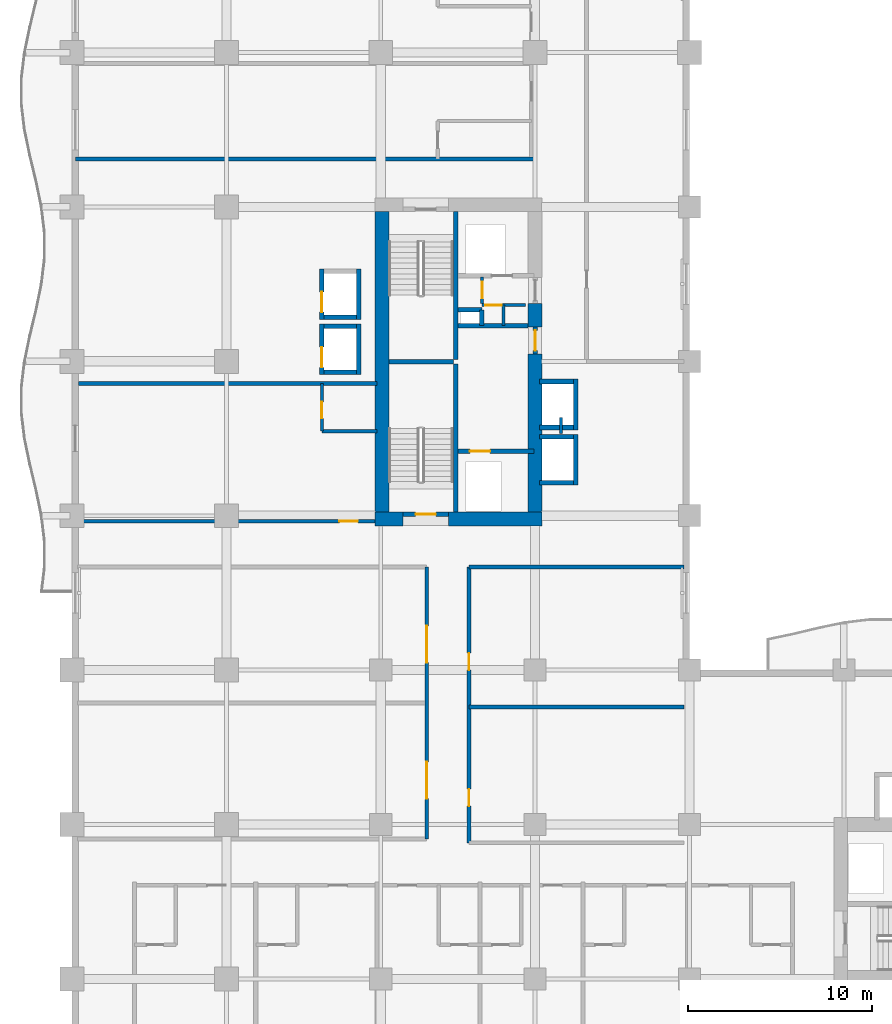
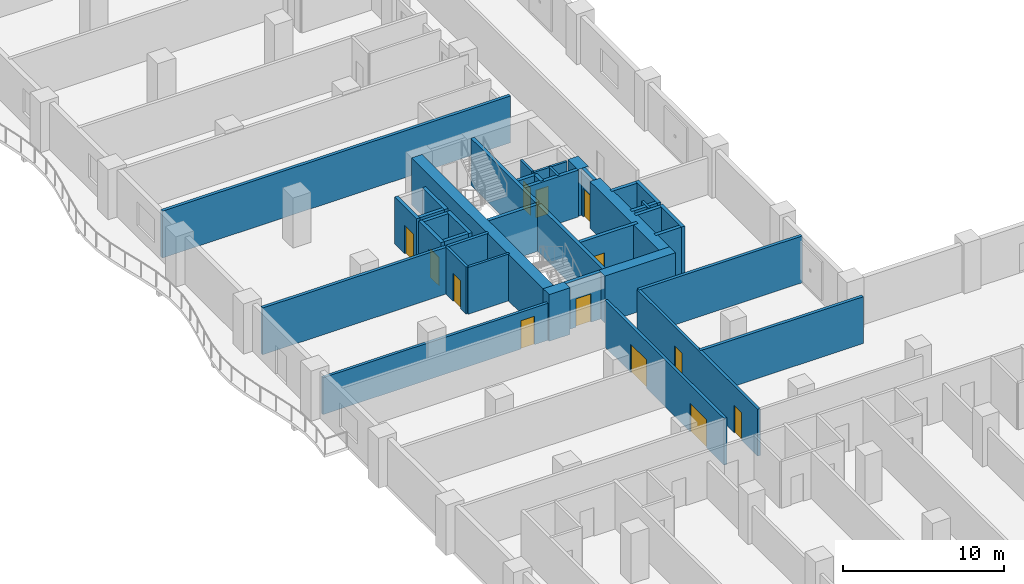
# One storey, part 7 of 17: 40 walls, 13 doors, 13 openings.
"""IFC4 building model written with IfcOpenShell, lengths in metres."""

from ifc_helpers import new_model, si_unit, direction, frame, frame_2d, origin, place, context, subcontext, project, spatial, rectangle, extrude, material, layer, layer_set, type_object, element, fill, save


model = new_model("IFC4")

# Units and contexts
model_context = context("Model", 3, precision=1e-05, world=origin(), true_north=direction((0.0, 1.0)))
body_context = subcontext(model_context, "Body", "Model", "MODEL_VIEW")
ifc_project = project(units=[si_unit("LENGTHUNIT", "METRE"), si_unit("AREAUNIT", "SQUARE_METRE"), si_unit("VOLUMEUNIT", "CUBIC_METRE"), si_unit("PLANEANGLEUNIT", "RADIAN"), si_unit("MASSUNIT", "GRAM", prefix="KILO")], contexts=[model_context])

# Site, building, storey
site_placement = place(None, origin())
site = spatial("IfcSite", under=ifc_project, at=site_placement, CompositionType="ELEMENT")
building_placement = place(site_placement, origin())
building = spatial("IfcBuilding", under=site, at=building_placement, Name="Koriwani Terraces Tower", CompositionType="ELEMENT")
storey_placement = place(building_placement, frame((0.0, 0.0, 122.800048828125)))
storey = spatial("IfcBuildingStorey", under=building, at=storey_placement, Name="L29", CompositionType="ELEMENT", Elevation=122.800048828125)

# Walls
ifc_material_1 = material(Name="Concrete C60/75", Category="concrete")
ifc_layer_1 = layer(ifc_material_1, 0.75, Name="Concrete C60/75")
ifc_layer_set_1 = layer_set([ifc_layer_1], Name="Concrete C60/75")
wall_type_1 = type_object("IfcWallType", Name="WALL_CORE_RC_750", PredefinedType="SHEAR", material=ifc_layer_set_1)
wall_1_placement = place(storey_placement, frame((16.5, 41.824951171875, 0.0), z_axis=(0.0, 0.0, 1.0), x_axis=(1.0, 0.0, 0.0)))
element("IfcWall", 1, at=wall_1_placement, inside=storey, type_object=wall_type_1, Name="L29 West Split Core Shear Wall S1", PredefinedType="SHEAR", context=body_context, shape_type="SweptSolid", body=[
    extrude(rectangle(XDim=1.5, YDim=0.75, at=frame_2d((0.75, 0.0))), origin(), (0.0, 0.0, 1.0), 3.550048828125),
])
wall_2_placement = place(storey_placement, frame((20.5, 41.824951171875, 0.0), z_axis=(0.0, 0.0, 1.0), x_axis=(1.0, 0.0, 0.0)))
element("IfcWall", 2, at=wall_2_placement, inside=storey, type_object=wall_type_1, Name="L29 West Split Core Shear Wall S2", PredefinedType="SHEAR", context=body_context, shape_type="SweptSolid", body=[
    extrude(rectangle(XDim=5.074951171875, YDim=0.75, at=frame_2d((2.53759765625, 0.0))), origin(), (0.0, 0.0, 1.0), 3.550048828125),
])
wall_3_placement = place(storey_placement, frame((16.875, 42.199951171875, 0.0), z_axis=(0.0, 0.0, 1.0), x_axis=(0.0, 1.0, 0.0)))
element("IfcWall", 3, at=wall_3_placement, inside=storey, type_object=wall_type_1, Name="L29 West Split Core Shear Wall W1", PredefinedType="SHEAR", context=body_context, shape_type="SweptSolid", body=[
    extrude(rectangle(XDim=16.35009765625, YDim=0.75, at=frame_2d((8.175048828125, 0.0))), origin(), (0.0, 0.0, 1.0), 3.550048828125),
])
wall_4_placement = place(storey_placement, frame((25.199951171875, 42.199951171875, 0.0), z_axis=(0.0, 0.0, 1.0), x_axis=(0.0, 1.0, 0.0)))
element("IfcWall", 4, at=wall_4_placement, inside=storey, type_object=wall_type_1, Name="L29 West Split Core Shear Wall E1", PredefinedType="SHEAR", context=body_context, shape_type="SweptSolid", body=[
    extrude(rectangle(XDim=8.60009765625, YDim=0.75, at=frame_2d((4.300048828125, 0.0))), origin(), (0.0, 0.0, 1.0), 3.550048828125),
])
wall_5_placement = place(storey_placement, frame((25.199951171875, 52.280029296875, 0.0), z_axis=(0.0, 0.0, 1.0), x_axis=(0.0, 1.0, 0.0)))
element("IfcWall", 5, at=wall_5_placement, inside=storey, type_object=wall_type_1, Name="L29 West Split Core Shear Wall E2", PredefinedType="SHEAR", context=body_context, shape_type="SweptSolid", body=[
    extrude(rectangle(XDim=1.27001953125, YDim=0.75, at=frame_2d((0.635009765625, 0.0))), origin(), (0.0, 0.0, 1.0), 3.550048828125),
])

# Wall, opening, door
ifc_material_2 = material(Name="Autoclaved Cellular Concrete Blockwork", Category="masonry")
ifc_layer_2 = layer(ifc_material_2, 0.199951171875, Name="Autoclaved Cellular Concrete Blockwork")
ifc_layer_set_2 = layer_set([ifc_layer_2], Name="Autoclaved Cellular Concrete Blockwork")
wall_type_2 = type_object("IfcWallType", Name="WALL_CORRIDOR_200", PredefinedType="PARTITIONING", material=ifc_layer_set_2)
wall_6_placement = place(storey_placement, frame((0.35009765625, 41.699951171875, 0.0), z_axis=(0.0, 0.0, 1.0), x_axis=(1.0, 0.0, 0.0)))
wall_6 = element("IfcWall", 6, at=wall_6_placement, inside=storey, type_object=wall_type_2, Name="L29 Interior Wall WREC-WS-L29", PredefinedType="PARTITIONING", context=body_context, shape_type="SweptSolid", body=[
    extrude(rectangle(XDim=16.25, YDim=0.199951171875, at=frame_2d((8.125, 0.0))), origin(), (0.0, 0.0, 1.0), 2.800048828125),
])
opening_1_placement = place(wall_6_placement, frame((14.199951171875, 0.0, 0.0)))
opening_1 = element("IfcOpeningElement", 7, at=opening_1_placement, cuts=wall_6, Name="Opening D-05", PredefinedType="OPENING", context=body_context, shape_type="SweptSolid", body=[
    extrude(rectangle(XDim=1.0, YDim=2.14990234375, at=frame_2d((0.5, 1.074951171875))), frame((0.0, 0.10986328125, 0.0), z_axis=(0.0, -1.0, 0.0), x_axis=(1.0, 0.0, 0.0)), (0.0, 0.0, 1.0), 0.219970703125),
])
ifc_material_3 = material(Name="Architectural Oak Fire Door", Category="wood")
door_type_1 = type_object("IfcDoorType", Name="DOOR_SUITE_ENTRY_1000X2150", OperationType="NOTDEFINED", PredefinedType="DOOR", material=ifc_material_3)
door_1_placement = place(opening_1_placement, origin())
door_1 = element("IfcDoor", 8, at=door_1_placement, inside=storey, type_object=door_type_1, Name="L29 Reclaimed West Suite Door", OperationType="SINGLE_SWING_LEFT", OverallHeight=2.14990234375, OverallWidth=1.0, PredefinedType="DOOR", context=body_context, shape_type="SweptSolid", body=[
    extrude(rectangle(XDim=1.0, YDim=2.14990234375, at=frame_2d((0.5, 1.074951171875))), frame((0.0, 0.02490234375, 0.0), z_axis=(0.0, -1.0, 0.0), x_axis=(1.0, 0.0, 0.0)), (0.0, 0.0, 1.0), 0.050048828125),
])
fill(opening_1, door_1)

# Wall, openings, doors
wall_7_placement = place(storey_placement, frame((21.60009765625, 24.199951171875, 0.0), z_axis=(0.0, 0.0, 1.0), x_axis=(0.0, 1.0, 0.0)))
wall_7 = element("IfcWall", 9, at=wall_7_placement, inside=storey, type_object=wall_type_2, Name="L29 Interior Wall WIC2-W-L29", PredefinedType="PARTITIONING", context=body_context, shape_type="SweptSolid", body=[
    extrude(rectangle(XDim=15.0, YDim=0.199951171875, at=frame_2d((7.5, 0.0))), origin(), (0.0, 0.0, 1.0), 3.550048828125),
])
opening_2_placement = place(wall_7_placement, frame((2.0, 0.0, 0.0)))
opening_2 = element("IfcOpeningElement", 10, at=opening_2_placement, cuts=wall_7, Name="Opening D-06", PredefinedType="OPENING", context=body_context, shape_type="SweptSolid", body=[
    extrude(rectangle(XDim=0.919921875, YDim=2.10009765625, at=frame_2d((0.4599609375, 1.050048828125))), frame((0.0, 0.10986328125, 0.0), z_axis=(0.0, -1.0, 0.0), x_axis=(1.0, 0.0, 0.0)), (0.0, 0.0, 1.0), 0.219970703125),
])
opening_3_placement = place(wall_7_placement, frame((9.39990234375, 0.0, 0.0)))
opening_3 = element("IfcOpeningElement", 11, at=opening_3_placement, cuts=wall_7, Name="Opening D-06", PredefinedType="OPENING", context=body_context, shape_type="SweptSolid", body=[
    extrude(rectangle(XDim=0.919921875, YDim=2.10009765625, at=frame_2d((0.4599609375, 1.050048828125))), frame((0.0, 0.10986328125, 0.0), z_axis=(0.0, -1.0, 0.0), x_axis=(1.0, 0.0, 0.0)), (0.0, 0.0, 1.0), 0.219970703125),
])
door_type_2 = type_object("IfcDoorType", Name="DOOR_ROOM_INT_920X2100", OperationType="NOTDEFINED", PredefinedType="DOOR", material=ifc_material_3)
door_2_placement = place(opening_2_placement, origin())
door_2 = element("IfcDoor", 12, at=door_2_placement, inside=storey, type_object=door_type_2, Name="L29 Inner Court Salon Door", OperationType="SINGLE_SWING_LEFT", OverallHeight=2.10009765625, OverallWidth=0.919921875, PredefinedType="DOOR", context=body_context, shape_type="SweptSolid", body=[
    extrude(rectangle(XDim=0.919921875, YDim=2.10009765625, at=frame_2d((0.4599609375, 1.050048828125))), frame((0.0, 0.02490234375, 0.0), z_axis=(0.0, -1.0, 0.0), x_axis=(1.0, 0.0, 0.0)), (0.0, 0.0, 1.0), 0.050048828125),
])
fill(opening_2, door_2)
door_3_placement = place(opening_3_placement, origin())
door_3 = element("IfcDoor", 13, at=door_3_placement, inside=storey, type_object=door_type_2, Name="L29 Inner Court Media Room Door", OperationType="SINGLE_SWING_RIGHT", OverallHeight=2.10009765625, OverallWidth=0.919921875, PredefinedType="DOOR", context=body_context, shape_type="SweptSolid", body=[
    extrude(rectangle(XDim=0.919921875, YDim=2.10009765625, at=frame_2d((0.4599609375, 1.050048828125))), frame((0.0, 0.02490234375, 0.0), z_axis=(0.0, -1.0, 0.0), x_axis=(1.0, 0.0, 0.0)), (0.0, 0.0, 1.0), 0.050048828125),
])
fill(opening_3, door_3)

wall_8_placement = place(storey_placement, frame((19.300048828125, 24.39990234375, 0.0), z_axis=(0.0, 0.0, 1.0), x_axis=(0.0, 1.0, 0.0)))
wall_8 = element("IfcWall", 14, at=wall_8_placement, inside=storey, type_object=wall_type_2, Name="L29 Interior Wall WC2NWCL-L29", PredefinedType="PARTITIONING", context=body_context, shape_type="SweptSolid", body=[
    extrude(rectangle(XDim=14.800048828125, YDim=0.199951171875, at=frame_2d((7.39990234375, 0.0))), origin(), (0.0, 0.0, 1.0), 3.550048828125),
])
opening_4_placement = place(wall_8_placement, frame((2.199951171875, 0.0, 0.0)))
opening_4 = element("IfcOpeningElement", 15, at=opening_4_placement, cuts=wall_8, Name="Opening D-02", PredefinedType="OPENING", context=body_context, shape_type="SweptSolid", body=[
    extrude(rectangle(XDim=2.0, YDim=2.14990234375, at=frame_2d((1.0, 1.074951171875))), frame((0.0, 0.10986328125, 0.0), z_axis=(0.0, -1.0, 0.0), x_axis=(1.0, 0.0, 0.0)), (0.0, 0.0, 1.0), 0.219970703125),
])
opening_5_placement = place(wall_8_placement, frame((9.60009765625, 0.0, 0.0)))
opening_5 = element("IfcOpeningElement", 16, at=opening_5_placement, cuts=wall_8, Name="Opening D-02", PredefinedType="OPENING", context=body_context, shape_type="SweptSolid", body=[
    extrude(rectangle(XDim=2.0, YDim=2.14990234375, at=frame_2d((1.0, 1.074951171875))), frame((0.0, 0.10986328125, 0.0), z_axis=(0.0, -1.0, 0.0), x_axis=(1.0, 0.0, 0.0)), (0.0, 0.0, 1.0), 0.219970703125),
])
ifc_material_4 = material(Name="Anodised Bronze Aluminium", Category="aluminium")
door_type_3 = type_object("IfcDoorType", Name="DOOR_ENTRANCE_DOUBLE_2000X2400", OperationType="NOTDEFINED", PredefinedType="DOOR", material=ifc_material_4)
door_4_placement = place(opening_4_placement, origin())
door_4 = element("IfcDoor", 17, at=door_4_placement, inside=storey, type_object=door_type_3, Name="L29 Panorama Spa Door", OperationType="SINGLE_SWING_LEFT", OverallHeight=2.14990234375, OverallWidth=2.0, PredefinedType="DOOR", context=body_context, shape_type="SweptSolid", body=[
    extrude(rectangle(XDim=2.0, YDim=2.14990234375, at=frame_2d((1.0, 1.074951171875))), frame((0.0, 0.02490234375, 0.0), z_axis=(0.0, -1.0, 0.0), x_axis=(1.0, 0.0, 0.0)), (0.0, 0.0, 1.0), 0.050048828125),
])
fill(opening_4, door_4)
door_5_placement = place(opening_5_placement, origin())
door_5 = element("IfcDoor", 18, at=door_5_placement, inside=storey, type_object=door_type_3, Name="L29 Panorama Library Door", OperationType="SINGLE_SWING_RIGHT", OverallHeight=2.14990234375, OverallWidth=2.0, PredefinedType="DOOR", context=body_context, shape_type="SweptSolid", body=[
    extrude(rectangle(XDim=2.0, YDim=2.14990234375, at=frame_2d((1.0, 1.074951171875))), frame((0.0, 0.02490234375, 0.0), z_axis=(0.0, -1.0, 0.0), x_axis=(1.0, 0.0, 0.0)), (0.0, 0.0, 1.0), 0.050048828125),
])
fill(opening_5, door_5)

# Walls
ifc_layer_3 = layer(ifc_material_2, 0.219970703125, Name="Autoclaved Cellular Concrete Blockwork")
ifc_layer_set_3 = layer_set([ifc_layer_3], Name="Autoclaved Cellular Concrete Blockwork")
wall_type_3 = type_object("IfcWallType", Name="WALL_DEMISING_220", PredefinedType="PARTITIONING", material=ifc_layer_set_3)
wall_9_placement = place(storey_placement, frame((0.35009765625, 49.199951171875, 0.0), z_axis=(0.0, 0.0, 1.0), x_axis=(1.0, 0.0, 0.0)))
element("IfcWall", 19, at=wall_9_placement, inside=storey, type_object=wall_type_3, Name="L29 Interior Wall WREC-WN-L29", PredefinedType="PARTITIONING", context=body_context, shape_type="SweptSolid", body=[
    extrude(rectangle(XDim=16.25, YDim=0.219970703125, at=frame_2d((8.125, 0.0))), origin(), (0.0, 0.0, 1.0), 3.550048828125),
])
for number, where, z_axis, x_axis, name in (
    (20, (21.60009765625, 31.60009765625, 0.0), (0.0, 0.0, 1.0), (1.0, 0.0, 0.0), "L29 Interior Wall WIC2-M-L29"),
    (21, (21.60009765625, 39.199951171875, 0.0), (0.0, 0.0, 1.0), (1.0, 0.0, 0.0), "L29 Interior Wall WIC2-N-L29"),
):
    element("IfcWall", number, at=place(storey_placement, frame(where, z_axis=z_axis, x_axis=x_axis)), inside=storey, type_object=wall_type_3, Name=name, PredefinedType="PARTITIONING", context=body_context, shape_type="SweptSolid", body=[
        extrude(rectangle(XDim=11.699951171875, YDim=0.219970703125, at=frame_2d((5.85009765625, 0.0))), origin(), (0.0, 0.0, 1.0), 3.550048828125),
    ])
wall_10_placement = place(storey_placement, frame((0.199951171875, 61.39990234375, 0.0), z_axis=(0.0, 0.0, 1.0), x_axis=(1.0, 0.0, 0.0)))
element("IfcWall", 22, at=wall_10_placement, inside=storey, type_object=wall_type_3, Name="L29 Interior Wall WDEM-L29-NE-0", PredefinedType="PARTITIONING", context=body_context, shape_type="SweptSolid", body=[
    extrude(rectangle(XDim=24.97998046875, YDim=0.219970703125, at=frame_2d((12.489990234375, 0.0))), origin(), (0.0, 0.0, 1.0), 3.550048828125),
])
ifc_material_5 = material(Name="Fire-Rated Acoustic Gypsum Partition", Category="masonry")
ifc_layer_4 = layer(ifc_material_5, 0.179931640625, Name="Fire-Rated Acoustic Gypsum Partition")
ifc_layer_set_4 = layer_set([ifc_layer_4], Name="Fire-Rated Acoustic Gypsum Partition")
wall_type_4 = type_object("IfcWallType", Name="WALL_PLUMBING_180", PredefinedType="PLUMBINGWALL", material=ifc_layer_set_4)
wall_11_placement = place(storey_placement, frame((13.60009765625, 46.60009765625, 0.0), z_axis=(0.0, 0.0, 1.0), x_axis=(1.0, 0.0, 0.0)))
element("IfcWall", 23, at=wall_11_placement, inside=storey, type_object=wall_type_4, Name="L29 Interior Wall WREC-WB1-L29", PredefinedType="PLUMBINGWALL", context=body_context, shape_type="SweptSolid", body=[
    extrude(rectangle(XDim=3.0, YDim=0.179931640625, at=frame_2d((1.5, 0.0))), origin(), (0.0, 0.0, 1.0), 3.550048828125),
])

# Wall, opening, door
wall_12_placement = place(storey_placement, frame((13.60009765625, 46.60009765625, 0.0), z_axis=(0.0, 0.0, 1.0), x_axis=(0.0, 1.0, 0.0)))
wall_12 = element("IfcWall", 24, at=wall_12_placement, inside=storey, type_object=wall_type_4, Name="L29 Interior Wall WREC-WB2-L29", PredefinedType="PLUMBINGWALL", context=body_context, shape_type="SweptSolid", body=[
    extrude(rectangle(XDim=2.599853515625, YDim=0.179931640625, at=frame_2d((1.2998046875, 0.0))), origin(), (0.0, 0.0, 1.0), 3.550048828125),
])
opening_6_placement = place(wall_12_placement, frame((0.699951171875, 0.0, 0.0)))
opening_6 = element("IfcOpeningElement", 25, at=opening_6_placement, cuts=wall_12, Name="Opening D-07", PredefinedType="OPENING", context=body_context, shape_type="SweptSolid", body=[
    extrude(rectangle(XDim=0.89990234375, YDim=2.10009765625, at=frame_2d((0.449951171875, 1.050048828125))), frame((0.0, 0.10009765625, 0.0), z_axis=(0.0, -1.0, 0.0), x_axis=(1.0, 0.0, 0.0)), (0.0, 0.0, 1.0), 0.199951171875),
])
door_type_4 = type_object("IfcDoorType", Name="DOOR_BATH_INT_900X2100", OperationType="NOTDEFINED", PredefinedType="DOOR", material=ifc_material_3)
door_6_placement = place(opening_6_placement, origin())
door_6 = element("IfcDoor", 26, at=door_6_placement, inside=storey, type_object=door_type_4, Name="L29 Reclaimed Suite En-Suite Door", OperationType="SINGLE_SWING_RIGHT", OverallHeight=2.10009765625, OverallWidth=0.89990234375, PredefinedType="DOOR", context=body_context, shape_type="SweptSolid", body=[
    extrude(rectangle(XDim=0.89990234375, YDim=2.10009765625, at=frame_2d((0.449951171875, 1.050048828125))), frame((0.0, 0.02490234375, 0.0), z_axis=(0.0, -1.0, 0.0), x_axis=(1.0, 0.0, 0.0)), (0.0, 0.0, 1.0), 0.050048828125),
])
fill(opening_6, door_6)

# Walls
ifc_material_6 = material(Name="Concrete C40/50", Category="concrete")
ifc_layer_5 = layer(ifc_material_6, 0.25, Name="Concrete C40/50")
ifc_layer_set_5 = layer_set([ifc_layer_5], Name="Concrete C40/50")
wall_type_5 = type_object("IfcWallType", Name="WALL_SHAFT_RATED_250", PredefinedType="SOLIDWALL", material=ifc_layer_set_5)
for number, where, z_axis, x_axis, name in (
    (27, (20.875, 42.199951171875, 0.0), (0.0, 0.0, 1.0), (0.0, 1.0, 0.0), "L29 West Split Core Web Wall MID1"),
    (28, (20.875, 50.5, 0.0), (0.0, 0.0, 1.0), (0.0, 1.0, 0.0), "L29 West Split Core Web Wall MID2"),
):
    element("IfcWall", number, at=place(storey_placement, frame(where, z_axis=z_axis, x_axis=x_axis)), inside=storey, type_object=wall_type_5, Name=name, PredefinedType="SOLIDWALL", context=body_context, shape_type="SweptSolid", body=[
        extrude(rectangle(XDim=8.050048828125, YDim=0.25, at=frame_2d((4.02490234375, 0.0))), origin(), (0.0, 0.0, 1.0), 3.550048828125),
    ])
wall_13_placement = place(storey_placement, frame((17.25, 50.375, 0.0), z_axis=(0.0, 0.0, 1.0), x_axis=(1.0, 0.0, 0.0)))
element("IfcWall", 29, at=wall_13_placement, inside=storey, type_object=wall_type_5, Name="L29 West Split Core Stair Dividing Wall", PredefinedType="SOLIDWALL", context=body_context, shape_type="SweptSolid", body=[
    extrude(rectangle(XDim=3.5, YDim=0.25, at=frame_2d((1.75, 0.0))), origin(), (0.0, 0.0, 1.0), 3.550048828125),
])

# Wall, opening, door
wall_14_placement = place(storey_placement, frame((18.0, 42.074951171875, 0.0), z_axis=(0.0, 0.0, 1.0), x_axis=(1.0, 0.0, 0.0)))
wall_14 = element("IfcWall", 30, at=wall_14_placement, inside=storey, type_object=wall_type_5, Name="L29 Interior Wall WIN-CW-L29-STS", PredefinedType="SOLIDWALL", context=body_context, shape_type="SweptSolid", body=[
    extrude(rectangle(XDim=2.5, YDim=0.25, at=frame_2d((1.25, 0.0))), origin(), (0.0, 0.0, 1.0), 3.550048828125),
])
opening_7_placement = place(wall_14_placement, frame((0.699951171875, 0.0, 0.0)))
opening_7 = element("IfcOpeningElement", 31, at=opening_7_placement, cuts=wall_14, Name="Opening D-03", PredefinedType="OPENING", context=body_context, shape_type="SweptSolid", body=[
    extrude(rectangle(XDim=1.10009765625, YDim=2.14990234375, at=frame_2d((0.550048828125, 1.074951171875))), frame((0.0, 0.135009765625, 0.0), z_axis=(0.0, -1.0, 0.0), x_axis=(1.0, 0.0, 0.0)), (0.0, 0.0, 1.0), 0.27001953125),
])
ifc_material_7 = material(Name="Steel ASTM A572 Grade 50", Category="steel")
door_type_5 = type_object("IfcDoorType", Name="DOOR_STAIR_FIRE_1100X2150", OperationType="NOTDEFINED", PredefinedType="DOOR", material=ifc_material_7)
door_7_placement = place(opening_7_placement, origin())
door_7 = element("IfcDoor", 32, at=door_7_placement, inside=storey, type_object=door_type_5, Name="L29 Exit Stair ST-W1 Door", OperationType="SINGLE_SWING_LEFT", OverallHeight=2.14990234375, OverallWidth=1.10009765625, PredefinedType="DOOR", context=body_context, shape_type="SweptSolid", body=[
    extrude(rectangle(XDim=1.10009765625, YDim=2.14990234375, at=frame_2d((0.550048828125, 1.074951171875))), frame((0.0, 0.02490234375, 0.0), z_axis=(0.0, -1.0, 0.0), x_axis=(1.0, 0.0, 0.0)), (0.0, 0.0, 1.0), 0.050048828125),
])
fill(opening_7, door_7)

wall_15_placement = place(storey_placement, frame((21.0, 45.5, 0.0), z_axis=(0.0, 0.0, 1.0), x_axis=(1.0, 0.0, 0.0)))
wall_15 = element("IfcWall", 33, at=wall_15_placement, inside=storey, type_object=wall_type_5, Name="L29 Interior Wall WIN-CW-L29-FE", PredefinedType="SOLIDWALL", context=body_context, shape_type="SweptSolid", body=[
    extrude(rectangle(XDim=4.14990234375, YDim=0.25, at=frame_2d((2.074951171875, 0.0))), origin(), (0.0, 0.0, 1.0), 3.550048828125),
])
opening_8_placement = place(wall_15_placement, frame((0.64990234375, 0.0, 0.0)))
opening_8 = element("IfcOpeningElement", 34, at=opening_8_placement, cuts=wall_15, Name="Opening LD-01", PredefinedType="OPENING", context=body_context, shape_type="SweptSolid", body=[
    extrude(rectangle(XDim=1.10009765625, YDim=2.14990234375, at=frame_2d((0.550048828125, 1.074951171875))), frame((0.0, 0.135009765625, 0.0), z_axis=(0.0, -1.0, 0.0), x_axis=(1.0, 0.0, 0.0)), (0.0, 0.0, 1.0), 0.27001953125),
])
door_type_6 = type_object("IfcDoorType", Name="DOOR_LIFT_LANDING_1100X2200", OperationType="NOTDEFINED", PredefinedType="DOOR", material=ifc_material_7)
door_8_placement = place(opening_8_placement, origin())
door_8 = element("IfcDoor", 35, at=door_8_placement, inside=storey, type_object=door_type_6, Name="L29 Firefighting Lift FE-01 Landing Door", OperationType="SLIDING_TO_LEFT", OverallHeight=2.14990234375, OverallWidth=1.10009765625, PredefinedType="DOOR", context=body_context, shape_type="SweptSolid", body=[
    extrude(rectangle(XDim=1.10009765625, YDim=2.14990234375, at=frame_2d((0.550048828125, 1.074951171875))), frame((0.0, 0.02490234375, 0.0), z_axis=(0.0, -1.0, 0.0), x_axis=(1.0, 0.0, 0.0)), (0.0, 0.0, 1.0), 0.050048828125),
])
fill(opening_8, door_8)

wall_16_placement = place(storey_placement, frame((25.199951171875, 50.800048828125, 0.0), z_axis=(0.0, 0.0, 1.0), x_axis=(0.0, 1.0, 0.0)))
wall_16 = element("IfcWall", 36, at=wall_16_placement, inside=storey, type_object=wall_type_5, Name="L29 Interior Wall WIN-CW-L29-EP", PredefinedType="SOLIDWALL", context=body_context, shape_type="SweptSolid", body=[
    extrude(rectangle(XDim=1.47998046875, YDim=0.25, at=frame_2d((0.739990234375, 0.0))), origin(), (0.0, 0.0, 1.0), 3.550048828125),
])
opening_9_placement = place(wall_16_placement, frame((0.179931640625, 0.0, 0.0)))
opening_9 = element("IfcOpeningElement", 37, at=opening_9_placement, cuts=wall_16, Name="Opening D-03", PredefinedType="OPENING", context=body_context, shape_type="SweptSolid", body=[
    extrude(rectangle(XDim=1.10009765625, YDim=2.14990234375, at=frame_2d((0.550048828125, 1.074951171875))), frame((0.0, 0.135009765625, 0.0), z_axis=(0.0, -1.0, 0.0), x_axis=(1.0, 0.0, 0.0)), (0.0, 0.0, 1.0), 0.27001953125),
])
door_9_placement = place(opening_9_placement, origin())
door_9 = element("IfcDoor", 38, at=door_9_placement, inside=storey, type_object=door_type_5, Name="L29 West Firefighting Lobby Door", OperationType="SINGLE_SWING_LEFT", OverallHeight=2.14990234375, OverallWidth=1.10009765625, PredefinedType="DOOR", context=body_context, shape_type="SweptSolid", body=[
    extrude(rectangle(XDim=1.10009765625, YDim=2.14990234375, at=frame_2d((0.550048828125, 1.074951171875))), frame((0.0, 0.02490234375, 0.0), z_axis=(0.0, -1.0, 0.0), x_axis=(1.0, 0.0, 0.0)), (0.0, 0.0, 1.0), 0.050048828125),
])
fill(opening_9, door_9)

# Walls
wall_17_placement = place(storey_placement, frame((21.0, 52.340087890625, 0.0), z_axis=(0.0, 0.0, 1.0), x_axis=(1.0, 0.0, 0.0)))
element("IfcWall", 39, at=wall_17_placement, inside=storey, type_object=wall_type_5, Name="L29 Interior Wall WIN-CW-L29-FFN", PredefinedType="SOLIDWALL", context=body_context, shape_type="SweptSolid", body=[
    extrude(rectangle(XDim=3.824951171875, YDim=0.25, at=frame_2d((1.91259765625, 0.0))), origin(), (0.0, 0.0, 1.0), 3.550048828125),
])
wall_18_placement = place(storey_placement, frame((21.0, 53.199951171875, 0.0), z_axis=(0.0, 0.0, 1.0), x_axis=(1.0, 0.0, 0.0)))
element("IfcWall", 40, at=wall_18_placement, inside=storey, type_object=wall_type_5, Name="L29 Interior Wall WIN-CW-L29-RS1", PredefinedType="SOLIDWALL", context=body_context, shape_type="SweptSolid", body=[
    extrude(rectangle(XDim=1.300048828125, YDim=0.25, at=frame_2d((0.64990234375, 0.0))), origin(), (0.0, 0.0, 1.0), 3.550048828125),
])
wall_19_placement = place(storey_placement, frame((22.300048828125, 52.360107421875, 0.0), z_axis=(0.0, 0.0, 1.0), x_axis=(0.0, 1.0, 0.0)))
element("IfcWall", 41, at=wall_19_placement, inside=storey, type_object=wall_type_5, Name="L29 Interior Wall WIN-CW-L29-RS2", PredefinedType="SOLIDWALL", context=body_context, shape_type="SweptSolid", body=[
    extrude(rectangle(XDim=0.83984375, YDim=0.25, at=frame_2d((0.419921875, 0.0))), origin(), (0.0, 0.0, 1.0), 3.550048828125),
])

# Wall, opening, door
wall_20_placement = place(storey_placement, frame((13.60009765625, 49.675048828125, 0.0), z_axis=(0.0, 0.0, 1.0), x_axis=(0.0, 1.0, 0.0)))
wall_20 = element("IfcWall", 42, at=wall_20_placement, inside=storey, type_object=wall_type_5, Name="L29 Interior Wall WIN-LF-PE-M1-L29-F", PredefinedType="SOLIDWALL", context=body_context, shape_type="SweptSolid", body=[
    extrude(rectangle(XDim=2.75, YDim=0.25, at=frame_2d((1.375, 0.0))), origin(), (0.0, 0.0, 1.0), 3.550048828125),
])
opening_10_placement = place(wall_20_placement, frame((0.39990234375, 0.0, 0.0)))
opening_10 = element("IfcOpeningElement", 43, at=opening_10_placement, cuts=wall_20, Name="Opening LD-01", PredefinedType="OPENING", context=body_context, shape_type="SweptSolid", body=[
    extrude(rectangle(XDim=1.10009765625, YDim=2.14990234375, at=frame_2d((0.550048828125, 1.074951171875))), frame((0.0, 0.135009765625, 0.0), z_axis=(0.0, -1.0, 0.0), x_axis=(1.0, 0.0, 0.0)), (0.0, 0.0, 1.0), 0.27001953125),
])
door_10_placement = place(opening_10_placement, origin())
door_10 = element("IfcDoor", 44, at=door_10_placement, inside=storey, type_object=door_type_6, Name="L29 Passenger Lift PE-M1 Landing Door", OperationType="SLIDING_TO_LEFT", OverallHeight=2.14990234375, OverallWidth=1.10009765625, PredefinedType="DOOR", context=body_context, shape_type="SweptSolid", body=[
    extrude(rectangle(XDim=1.10009765625, YDim=2.14990234375, at=frame_2d((0.550048828125, 1.074951171875))), frame((0.0, 0.02490234375, 0.0), z_axis=(0.0, -1.0, 0.0), x_axis=(1.0, 0.0, 0.0)), (0.0, 0.0, 1.0), 0.050048828125),
])
fill(opening_10, door_10)

# Walls
wall_21_placement = place(storey_placement, frame((15.60009765625, 49.675048828125, 0.0), z_axis=(0.0, 0.0, 1.0), x_axis=(0.0, 1.0, 0.0)))
element("IfcWall", 45, at=wall_21_placement, inside=storey, type_object=wall_type_5, Name="L29 Interior Wall WIN-LF-PE-M1-L29-B", PredefinedType="SOLIDWALL", context=body_context, shape_type="SweptSolid", body=[
    extrude(rectangle(XDim=2.75, YDim=0.25, at=frame_2d((1.375, 0.0))), origin(), (0.0, 0.0, 1.0), 3.550048828125),
])
for number, where, z_axis, x_axis, name in (
    (46, (13.72509765625, 49.800048828125, 0.0), (0.0, 0.0, 1.0), (1.0, 0.0, 0.0), "L29 Interior Wall WIN-LF-PE-M1-L29-S"),
    (47, (13.72509765625, 52.300048828125, 0.0), (0.0, 0.0, 1.0), (1.0, 0.0, 0.0), "L29 Interior Wall WIN-LF-PE-M1-L29-N"),
):
    element("IfcWall", number, at=place(storey_placement, frame(where, z_axis=z_axis, x_axis=x_axis)), inside=storey, type_object=wall_type_5, Name=name, PredefinedType="SOLIDWALL", context=body_context, shape_type="SweptSolid", body=[
        extrude(rectangle(XDim=1.75, YDim=0.25, at=frame_2d((0.875, 0.0))), origin(), (0.0, 0.0, 1.0), 3.550048828125),
    ])

# Wall, opening, door
wall_22_placement = place(storey_placement, frame((13.60009765625, 52.675048828125, 0.0), z_axis=(0.0, 0.0, 1.0), x_axis=(0.0, 1.0, 0.0)))
wall_22 = element("IfcWall", 48, at=wall_22_placement, inside=storey, type_object=wall_type_5, Name="L29 Interior Wall WIN-LF-PE-M2-L29-F", PredefinedType="SOLIDWALL", context=body_context, shape_type="SweptSolid", body=[
    extrude(rectangle(XDim=2.75, YDim=0.25, at=frame_2d((1.375, 0.0))), origin(), (0.0, 0.0, 1.0), 3.550048828125),
])
opening_11_placement = place(wall_22_placement, frame((0.39990234375, 0.0, 0.0)))
opening_11 = element("IfcOpeningElement", 49, at=opening_11_placement, cuts=wall_22, Name="Opening LD-01", PredefinedType="OPENING", context=body_context, shape_type="SweptSolid", body=[
    extrude(rectangle(XDim=1.10009765625, YDim=2.14990234375, at=frame_2d((0.550048828125, 1.074951171875))), frame((0.0, 0.135009765625, 0.0), z_axis=(0.0, -1.0, 0.0), x_axis=(1.0, 0.0, 0.0)), (0.0, 0.0, 1.0), 0.27001953125),
])
door_11_placement = place(opening_11_placement, origin())
door_11 = element("IfcDoor", 50, at=door_11_placement, inside=storey, type_object=door_type_6, Name="L29 Passenger Lift PE-M2 Landing Door", OperationType="SLIDING_TO_LEFT", OverallHeight=2.14990234375, OverallWidth=1.10009765625, PredefinedType="DOOR", context=body_context, shape_type="SweptSolid", body=[
    extrude(rectangle(XDim=1.10009765625, YDim=2.14990234375, at=frame_2d((0.550048828125, 1.074951171875))), frame((0.0, 0.02490234375, 0.0), z_axis=(0.0, -1.0, 0.0), x_axis=(1.0, 0.0, 0.0)), (0.0, 0.0, 1.0), 0.050048828125),
])
fill(opening_11, door_11)

# Walls
wall_23_placement = place(storey_placement, frame((15.60009765625, 52.675048828125, 0.0), z_axis=(0.0, 0.0, 1.0), x_axis=(0.0, 1.0, 0.0)))
element("IfcWall", 51, at=wall_23_placement, inside=storey, type_object=wall_type_5, Name="L29 Interior Wall WIN-LF-PE-M2-L29-B", PredefinedType="SOLIDWALL", context=body_context, shape_type="SweptSolid", body=[
    extrude(rectangle(XDim=2.75, YDim=0.25, at=frame_2d((1.375, 0.0))), origin(), (0.0, 0.0, 1.0), 3.550048828125),
])
wall_24_placement = place(storey_placement, frame((13.72509765625, 52.800048828125, 0.0), z_axis=(0.0, 0.0, 1.0), x_axis=(1.0, 0.0, 0.0)))
element("IfcWall", 52, at=wall_24_placement, inside=storey, type_object=wall_type_5, Name="L29 Interior Wall WIN-LF-PE-M2-L29-S", PredefinedType="SOLIDWALL", context=body_context, shape_type="SweptSolid", body=[
    extrude(rectangle(XDim=1.75, YDim=0.25, at=frame_2d((0.875, 0.0))), origin(), (0.0, 0.0, 1.0), 3.550048828125),
])
wall_25_placement = place(storey_placement, frame((27.39990234375, 43.675048828125, 0.0), z_axis=(0.0, 0.0, 1.0), x_axis=(0.0, 1.0, 0.0)))
element("IfcWall", 53, at=wall_25_placement, inside=storey, type_object=wall_type_5, Name="L29 Interior Wall WIN-LF-PE-H1-L29-F", PredefinedType="SOLIDWALL", context=body_context, shape_type="SweptSolid", body=[
    extrude(rectangle(XDim=2.75, YDim=0.25, at=frame_2d((1.375, 0.0))), origin(), (0.0, 0.0, 1.0), 3.550048828125),
])
for number, where, z_axis, x_axis, name in (
    (54, (25.449951171875, 43.800048828125, 0.0), (0.0, 0.0, 1.0), (1.0, 0.0, 0.0), "L29 Interior Wall WIN-LF-PE-H1-L29-S"),
    (55, (25.449951171875, 46.300048828125, 0.0), (0.0, 0.0, 1.0), (1.0, 0.0, 0.0), "L29 Interior Wall WIN-LF-PE-H1-L29-N"),
):
    element("IfcWall", number, at=place(storey_placement, frame(where, z_axis=z_axis, x_axis=x_axis)), inside=storey, type_object=wall_type_5, Name=name, PredefinedType="SOLIDWALL", context=body_context, shape_type="SweptSolid", body=[
        extrude(rectangle(XDim=1.824951171875, YDim=0.25, at=frame_2d((0.91259765625, 0.0))), origin(), (0.0, 0.0, 1.0), 3.550048828125),
    ])
wall_26_placement = place(storey_placement, frame((27.39990234375, 46.675048828125, 0.0), z_axis=(0.0, 0.0, 1.0), x_axis=(0.0, 1.0, 0.0)))
element("IfcWall", 56, at=wall_26_placement, inside=storey, type_object=wall_type_5, Name="L29 Interior Wall WIN-LF-PE-H2-L29-F", PredefinedType="SOLIDWALL", context=body_context, shape_type="SweptSolid", body=[
    extrude(rectangle(XDim=2.75, YDim=0.25, at=frame_2d((1.375, 0.0))), origin(), (0.0, 0.0, 1.0), 3.550048828125),
])
for number, where, z_axis, x_axis, name in (
    (57, (25.449951171875, 46.800048828125, 0.0), (0.0, 0.0, 1.0), (1.0, 0.0, 0.0), "L29 Interior Wall WIN-LF-PE-H2-L29-S"),
    (58, (25.449951171875, 49.300048828125, 0.0), (0.0, 0.0, 1.0), (1.0, 0.0, 0.0), "L29 Interior Wall WIN-LF-PE-H2-L29-N"),
):
    element("IfcWall", number, at=place(storey_placement, frame(where, z_axis=z_axis, x_axis=x_axis)), inside=storey, type_object=wall_type_5, Name=name, PredefinedType="SOLIDWALL", context=body_context, shape_type="SweptSolid", body=[
        extrude(rectangle(XDim=1.824951171875, YDim=0.25, at=frame_2d((0.91259765625, 0.0))), origin(), (0.0, 0.0, 1.0), 3.550048828125),
    ])

# Wall, opening, door
ifc_layer_6 = layer(ifc_material_5, 0.159912109375, Name="Fire-Rated Acoustic Gypsum Partition")
ifc_layer_set_6 = layer_set([ifc_layer_6], Name="Fire-Rated Acoustic Gypsum Partition")
wall_type_6 = type_object("IfcWallType", Name="WALL_SUITE_160", PredefinedType="PARTITIONING", material=ifc_layer_set_6)
wall_27_placement = place(storey_placement, frame((22.320068359375, 53.56005859375, 0.0), z_axis=(0.0, 0.0, 1.0), x_axis=(0.0, 1.0, 0.0)))
wall_27 = element("IfcWall", 59, at=wall_27_placement, inside=storey, type_object=wall_type_6, Name="L29 Interior Wall WIN-CW-L29-SV2A", PredefinedType="PARTITIONING", context=body_context, shape_type="SweptSolid", body=[
    extrude(rectangle(XDim=1.43994140625, YDim=0.159912109375, at=frame_2d((0.719970703125, 0.0))), origin(), (0.0, 0.0, 1.0), 3.550048828125),
])
opening_12_placement = place(wall_27_placement, frame((0.260009765625, 0.0, 0.0)))
opening_12 = element("IfcOpeningElement", 60, at=opening_12_placement, cuts=wall_27, Name="Opening D-07", PredefinedType="OPENING", context=body_context, shape_type="SweptSolid", body=[
    extrude(rectangle(XDim=0.89990234375, YDim=2.10009765625, at=frame_2d((0.449951171875, 1.050048828125))), frame((0.0, 0.08984375, 0.0), z_axis=(0.0, -1.0, 0.0), x_axis=(1.0, 0.0, 0.0)), (0.0, 0.0, 1.0), 0.179931640625),
])
door_12_placement = place(opening_12_placement, origin())
door_12 = element("IfcDoor", 61, at=door_12_placement, inside=storey, type_object=door_type_4, Name="L29 West Meter Room Door", OperationType="SINGLE_SWING_LEFT", OverallHeight=2.10009765625, OverallWidth=0.89990234375, PredefinedType="DOOR", context=body_context, shape_type="SweptSolid", body=[
    extrude(rectangle(XDim=0.89990234375, YDim=2.10009765625, at=frame_2d((0.449951171875, 1.050048828125))), frame((0.0, 0.02490234375, 0.0), z_axis=(0.0, -1.0, 0.0), x_axis=(1.0, 0.0, 0.0)), (0.0, 0.0, 1.0), 0.050048828125),
])
fill(opening_12, door_12)

wall_28_placement = place(storey_placement, frame((22.320068359375, 53.4599609375, 0.0), z_axis=(0.0, 0.0, 1.0), x_axis=(1.0, 0.0, 0.0)))
wall_28 = element("IfcWall", 62, at=wall_28_placement, inside=storey, type_object=wall_type_6, Name="L29 Interior Wall WIN-CW-L29-SV2H", PredefinedType="PARTITIONING", context=body_context, shape_type="SweptSolid", body=[
    extrude(rectangle(XDim=2.35986328125, YDim=0.159912109375, at=frame_2d((1.179931640625, 0.0))), origin(), (0.0, 0.0, 1.0), 3.550048828125),
])
opening_13_placement = place(wall_28_placement, frame((0.159912109375, 0.0, 0.0)))
opening_13 = element("IfcOpeningElement", 63, at=opening_13_placement, cuts=wall_28, Name="Opening D-07", PredefinedType="OPENING", context=body_context, shape_type="SweptSolid", body=[
    extrude(rectangle(XDim=0.89990234375, YDim=2.10009765625, at=frame_2d((0.449951171875, 1.050048828125))), frame((0.0, 0.08984375, 0.0), z_axis=(0.0, -1.0, 0.0), x_axis=(1.0, 0.0, 0.0)), (0.0, 0.0, 1.0), 0.179931640625),
])
door_13_placement = place(opening_13_placement, origin())
door_13 = element("IfcDoor", 64, at=door_13_placement, inside=storey, type_object=door_type_4, Name="L29 West Valve Room Door", OperationType="SINGLE_SWING_RIGHT", OverallHeight=2.10009765625, OverallWidth=0.89990234375, PredefinedType="DOOR", context=body_context, shape_type="SweptSolid", body=[
    extrude(rectangle(XDim=0.89990234375, YDim=2.10009765625, at=frame_2d((0.449951171875, 1.050048828125))), frame((0.0, 0.02490234375, 0.0), z_axis=(0.0, -1.0, 0.0), x_axis=(1.0, 0.0, 0.0)), (0.0, 0.0, 1.0), 0.050048828125),
])
fill(opening_13, door_13)

# Walls
wall_29_placement = place(storey_placement, frame((23.47998046875, 52.360107421875, 0.0), z_axis=(0.0, 0.0, 1.0), x_axis=(0.0, 1.0, 0.0)))
element("IfcWall", 65, at=wall_29_placement, inside=storey, type_object=wall_type_6, Name="L29 Interior Wall WIN-CW-L29-SV2V", PredefinedType="PARTITIONING", context=body_context, shape_type="SweptSolid", body=[
    extrude(rectangle(XDim=1.099853515625, YDim=0.159912109375, at=frame_2d((0.5498046875, 0.0))), origin(), (0.0, 0.0, 1.0), 3.550048828125),
])
wall_30_placement = place(storey_placement, frame((26.60009765625, 46.4599609375, 0.0), z_axis=(0.0, 0.0, 1.0), x_axis=(0.0, 1.0, 0.0)))
element("IfcWall", 66, at=wall_30_placement, inside=storey, type_object=wall_type_6, Name="L29 Interior Wall WIN-LF-PEH12-MID-L29", PredefinedType="PARTITIONING", context=body_context, shape_type="SweptSolid", body=[
    extrude(rectangle(XDim=0.880126953125, YDim=0.159912109375, at=frame_2d((0.43994140625, 0.0))), origin(), (0.0, 0.0, 1.0), 3.550048828125),
])

save(model, "model.ifc")
